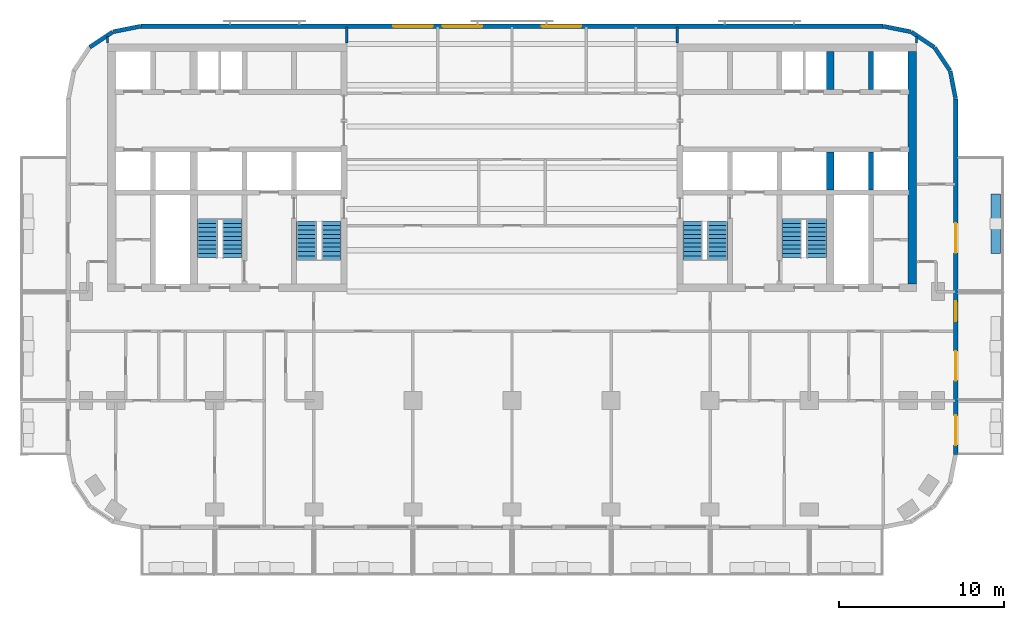
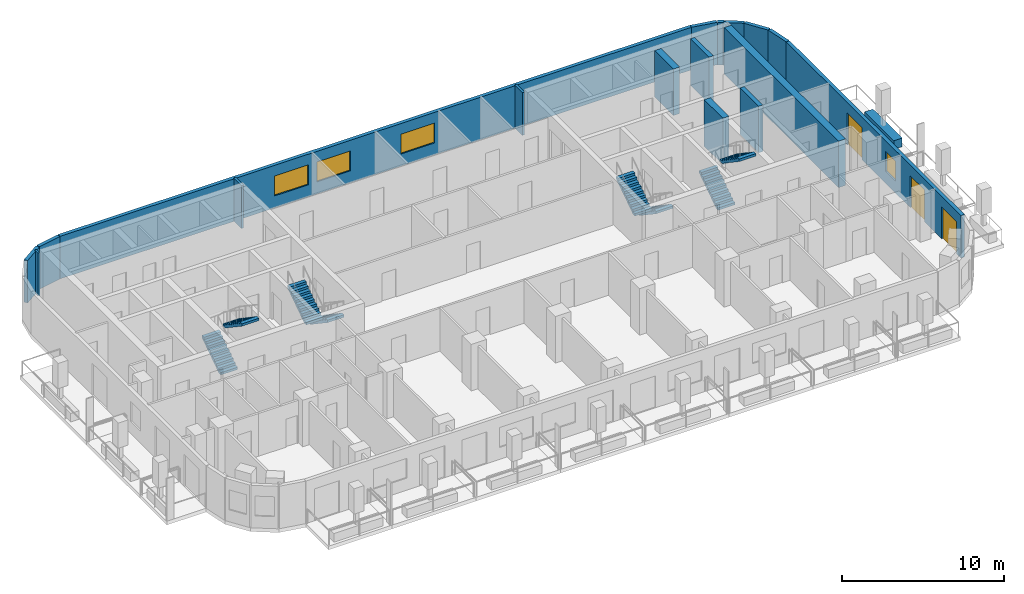
# One storey, part 7 of 11: 18 walls, 8 stair flights, 4 windows, 3 doors, 7 openings, 4 elements without a shape of their own.
"""IFC4 building model written with IfcOpenShell, lengths in metres."""

from ifc_helpers import new_model, si_unit, direction, frame, frame_2d, origin, place, context, subcontext, project, spatial, polyline, rectangle, outline, extrude, material, layer, layer_set, type_object, element, fill, aggregate, save


model = new_model("IFC4")

# Units and contexts
model_context = context("Model", 3, precision=1e-05, world=origin(), true_north=direction((0.0, 1.0)))
body_context = subcontext(model_context, "Body", "Model", "MODEL_VIEW")
ifc_project = project(units=[si_unit("LENGTHUNIT", "METRE"), si_unit("AREAUNIT", "SQUARE_METRE"), si_unit("VOLUMEUNIT", "CUBIC_METRE"), si_unit("PLANEANGLEUNIT", "RADIAN"), si_unit("MASSUNIT", "GRAM", prefix="KILO")], contexts=[model_context])

# Site, building, storey
site_placement = place(None, origin())
site = spatial("IfcSite", under=ifc_project, at=site_placement, CompositionType="ELEMENT")
building_placement = place(site_placement, origin())
building = spatial("IfcBuilding", under=site, at=building_placement, Name="Torana Hotel and Residences", CompositionType="ELEMENT")
storey_placement = place(building_placement, frame((0.0, 0.0, 243.10009765625)))
storey = spatial("IfcBuildingStorey", under=building, at=storey_placement, Name="L64", CompositionType="ELEMENT", Elevation=243.10009765625)

# Walls
ifc_material_1 = material(Name="Concrete C70/85", Category="concrete")
ifc_layer_1 = layer(ifc_material_1, 0.300048828125)
ifc_layer_set_1 = layer_set([ifc_layer_1], Name="CORE WALL 300 C70/85")
wall_type_1 = type_object("IfcWallType", Name="CORE WALL 300 C70/85", PredefinedType="SHEAR", material=ifc_layer_set_1)
for number, where, z_axis, x_axis, name in (
    (1, (21.75, -2.75, 0.0), (0.0, 0.0, 1.0), (0.0, 1.0, 0.0), "Core wall E mm-N"),
    (2, (21.75, -8.85009765625, 0.0), (0.0, 0.0, 1.0), (0.0, 1.0, 0.0), "Core wall E mm-S"),
):
    element("IfcWall", number, at=place(storey_placement, frame(where, z_axis=z_axis, x_axis=x_axis)), inside=storey, type_object=wall_type_1, Name=name, PredefinedType="SHEAR", context=body_context, shape_type="SweptSolid", body=[
        extrude(rectangle(XDim=2.300048828125, YDim=0.300048828125, at=frame_2d((1.14990234375, 0.0))), origin(), (0.0, 0.0, 1.0), 3.5),
    ])
ifc_material_2 = material(Name="Concrete C70/85", Category="concrete")
ifc_layer_2 = layer(ifc_material_2, 0.449951171875)
ifc_layer_set_2 = layer_set([ifc_layer_2], Name="CORE WALL 450 C70/85")
wall_type_2 = type_object("IfcWallType", Name="CORE WALL 450 C70/85", PredefinedType="SHEAR", material=ifc_layer_set_2)
for number, where, z_axis, x_axis, name in (
    (3, (19.27490234375, -2.75, 0.0), (0.0, 0.0, 1.0), (0.0, 1.0, 0.0), "Core wall E hm-N"),
    (4, (19.27490234375, -8.85009765625, 0.0), (0.0, 0.0, 1.0), (0.0, 1.0, 0.0), "Core wall E hm-S"),
):
    element("IfcWall", number, at=place(storey_placement, frame(where, z_axis=z_axis, x_axis=x_axis)), inside=storey, type_object=wall_type_2, Name=name, PredefinedType="SHEAR", context=body_context, shape_type="SweptSolid", body=[
        extrude(rectangle(XDim=2.300048828125, YDim=0.449951171875, at=frame_2d((1.14990234375, 0.0))), origin(), (0.0, 0.0, 1.0), 3.5),
    ])
ifc_material_3 = material(Name="Concrete C70/85", Category="concrete")
ifc_layer_3 = layer(ifc_material_3, 0.5)
ifc_layer_set_3 = layer_set([ifc_layer_3], Name="CORE WALL 500 C70/85")
wall_type_3 = type_object("IfcWallType", Name="CORE WALL 500 C70/85", PredefinedType="SHEAR", material=ifc_layer_set_3)
wall_1_placement = place(storey_placement, frame((24.25, -14.550048828125, 0.0), z_axis=(0.0, 0.0, 1.0), x_axis=(0.0, 1.0, 0.0)))
element("IfcWall", 5, at=wall_1_placement, inside=storey, type_object=wall_type_3, Name="Core wall E outer", PredefinedType="SHEAR", context=body_context, shape_type="SweptSolid", body=[
    extrude(rectangle(XDim=14.10009765625, YDim=0.5, at=frame_2d((7.050048828125, 0.0))), origin(), (0.0, 0.0, 1.0), 3.5),
])
ifc_material_4 = material(Name="Black aluminium composite panel", Category="aluminium")
ifc_layer_4 = layer(ifc_material_4, 0.00390625, Name="Cladding", Category="cladding")
ifc_material_5 = material(Name="Ventilated air cavity")
ifc_layer_5 = layer(ifc_material_5, 0.0400390625, Name="Ventilated cavity", Category="cavity")
ifc_material_6 = material(Name="Mineral wool insulation")
ifc_layer_6 = layer(ifc_material_6, 0.090087890625, Name="Insulation", Category="insulation")
ifc_material_7 = material(Name="Steel S280GD", Category="steel")
ifc_layer_7 = layer(ifc_material_7, 0.092041015625, Name="Steel stud frame", Category="structure")
ifc_material_8 = material(Name="Fire rated plasterboard")
ifc_layer_8 = layer(ifc_material_8, 0.011962890625, Name="Inner board", Category="finish")
ifc_layer_9 = layer(ifc_material_8, 0.011962890625, Name="Second board", Category="finish")
ifc_layer_set_4 = layer_set([ifc_layer_4, ifc_layer_5, ifc_layer_6, ifc_layer_7, ifc_layer_8, ifc_layer_9], Name="EW1 EXTERNAL WALL BLACK METAL CLAD 250")
wall_type_4 = type_object("IfcWallType", Name="EW1 EXTERNAL WALL BLACK METAL CLAD 250", PredefinedType="SOLIDWALL", material=ifc_layer_set_4)
wall_2_placement = place(storey_placement, frame((26.87255859375, -3.30029296875, 0.0), z_axis=(0.0, 0.0, 1.0), x_axis=(-0.194999110559, 0.980803419081, 0.0)))
element("IfcWall", 6, at=wall_2_placement, inside=storey, type_object=wall_type_4, Name="External wall L64 e0.0", PredefinedType="SOLIDWALL", context=body_context, shape_type="SweptSolid", body=[
    extrude(rectangle(XDim=1.681396484375, YDim=0.25, at=frame_2d((0.8408203125, 0.0))), origin(), (0.0, 0.0, 1.0), 3.199951171875),
])
for number, where, z_axis, x_axis, name in (
    (7, (26.52587890625, -1.60595703125, 0.0), (0.0, 0.0, 1.0), (-0.55555029066, 0.831482937015, 0.0), "External wall L64 e0.1"),
    (8, (25.5712890625, -0.1943359375, 0.0), (0.0, 0.0, 1.0), (-0.831482937015, 0.55555029066, 0.0), "External wall L64 e0.2"),
):
    element("IfcWall", number, at=place(storey_placement, frame(where, z_axis=z_axis, x_axis=x_axis)), inside=storey, type_object=wall_type_4, Name=name, PredefinedType="SOLIDWALL", context=body_context, shape_type="SweptSolid", body=[
        extrude(rectangle(XDim=1.65625, YDim=0.25, at=frame_2d((0.828125, 0.0))), origin(), (0.0, 0.0, 1.0), 3.199951171875),
    ])
for number, where, z_axis, x_axis, name in (
    (9, (24.14892578125, 0.74462890625, 0.0), (0.0, 0.0, 1.0), (-0.980803419081, 0.194999110559, 0.0), "External wall L64 e0.3"),
    (10, (-22.499755859375, 1.072509765625, 0.0), (0.0, 0.0, 1.0), (-0.980803419081, -0.194999110559, 0.0), "External wall L64 e0.5"),
):
    element("IfcWall", number, at=place(storey_placement, frame(where, z_axis=z_axis, x_axis=x_axis)), inside=storey, type_object=wall_type_4, Name=name, PredefinedType="SOLIDWALL", context=body_context, shape_type="SweptSolid", body=[
        extrude(rectangle(XDim=1.681396484375, YDim=0.25, at=frame_2d((0.8408203125, 0.0))), origin(), (0.0, 0.0, 1.0), 3.199951171875),
    ])
wall_3_placement = place(storey_placement, frame((-24.194091796875, 0.725830078125, 0.0), z_axis=(0.0, 0.0, 1.0), x_axis=(-0.831482937015, -0.55555029066, 0.0)))
element("IfcWall", 11, at=wall_3_placement, inside=storey, type_object=wall_type_4, Name="External wall L64 e0.6", PredefinedType="SOLIDWALL", context=body_context, shape_type="SweptSolid", body=[
    extrude(rectangle(XDim=1.65625, YDim=0.25, at=frame_2d((0.828125, 0.0))), origin(), (0.0, 0.0, 1.0), 3.199951171875),
])

# Wall, openings, doors, window
wall_4_placement = place(storey_placement, frame((26.875, -24.87548828125, 0.0), z_axis=(0.0, 0.0, 1.0), x_axis=(0.0, 1.0, 0.0)))
wall_4 = element("IfcWall", 12, at=wall_4_placement, inside=storey, type_object=wall_type_4, Name="External wall L64 e0.19", PredefinedType="SOLIDWALL", context=body_context, shape_type="SweptSolid", body=[
    extrude(rectangle(XDim=21.55078125, YDim=0.25, at=frame_2d((10.775390625, 0.0))), origin(), (0.0, 0.0, 1.0), 3.199951171875),
])
opening_1_placement = place(wall_4_placement, frame((0.575439453125, 0.0, 0.0)))
opening_1 = element("IfcOpeningElement", 13, at=opening_1_placement, cuts=wall_4, Name="Opening L64-E09", PredefinedType="OPENING", context=body_context, shape_type="SweptSolid", body=[
    extrude(rectangle(XDim=1.800048828125, YDim=2.39990234375, at=frame_2d((0.89990234375, 1.199951171875))), frame((0.0, 0.135009765625, 0.0), z_axis=(0.0, -1.0, 0.0), x_axis=(1.0, 0.0, 0.0)), (0.0, 0.0, 1.0), 0.27001953125),
])
opening_2_placement = place(wall_4_placement, frame((4.475341796875, 0.0, 0.0)))
opening_2 = element("IfcOpeningElement", 14, at=opening_2_placement, cuts=wall_4, Name="Opening L64-E10", PredefinedType="OPENING", context=body_context, shape_type="SweptSolid", body=[
    extrude(rectangle(XDim=1.800048828125, YDim=2.39990234375, at=frame_2d((0.89990234375, 1.199951171875))), frame((0.0, 0.135009765625, 0.0), z_axis=(0.0, -1.0, 0.0), x_axis=(1.0, 0.0, 0.0)), (0.0, 0.0, 1.0), 0.27001953125),
])
opening_3_placement = place(wall_4_placement, frame((8.075439453125, 0.0, 0.89990234375)))
opening_3 = element("IfcOpeningElement", 15, at=opening_3_placement, cuts=wall_4, Name="Opening W5", PredefinedType="OPENING", context=body_context, shape_type="SweptSolid", body=[
    extrude(rectangle(XDim=1.199951171875, YDim=1.5, at=frame_2d((0.60009765625, 0.75))), frame((0.0, 0.135009765625, 0.0), z_axis=(0.0, -1.0, 0.0), x_axis=(1.0, 0.0, 0.0)), (0.0, 0.0, 1.0), 0.27001953125),
])
opening_4_placement = place(wall_4_placement, frame((12.225341796875, 0.0, 0.0)))
opening_4 = element("IfcOpeningElement", 16, at=opening_4_placement, cuts=wall_4, Name="Opening L64-E11", PredefinedType="OPENING", context=body_context, shape_type="SweptSolid", body=[
    extrude(rectangle(XDim=1.800048828125, YDim=2.39990234375, at=frame_2d((0.89990234375, 1.199951171875))), frame((0.0, 0.135009765625, 0.0), z_axis=(0.0, -1.0, 0.0), x_axis=(1.0, 0.0, 0.0)), (0.0, 0.0, 1.0), 0.27001953125),
])
ifc_material_9 = material(Name="Dark glass in black aluminium frame", Category="aluminium")
door_type = type_object("IfcDoorType", Name="DB1 BALCONY DOOR 1800x2400", OperationType="DOUBLE_DOOR_SINGLE_SWING", PredefinedType="DOOR", material=ifc_material_9)
door_1_placement = place(opening_1_placement, origin())
door_1 = element("IfcDoor", 17, at=door_1_placement, inside=storey, type_object=door_type, Name="Balcony door L64", OperationType="DOUBLE_DOOR_SINGLE_SWING", OverallHeight=2.39990234375, OverallWidth=1.800048828125, PredefinedType="DOOR", context=body_context, shape_type="SweptSolid", body=[
    extrude(rectangle(XDim=1.800048828125, YDim=2.39990234375, at=frame_2d((0.89990234375, 1.199951171875))), frame((0.0, 0.02490234375, 0.0), z_axis=(0.0, -1.0, 0.0), x_axis=(1.0, 0.0, 0.0)), (0.0, 0.0, 1.0), 0.050048828125),
])
fill(opening_1, door_1)
door_2_placement = place(opening_2_placement, origin())
door_2 = element("IfcDoor", 18, at=door_2_placement, inside=storey, type_object=door_type, Name="Balcony door L64", OperationType="DOUBLE_DOOR_SINGLE_SWING", OverallHeight=2.39990234375, OverallWidth=1.800048828125, PredefinedType="DOOR", context=body_context, shape_type="SweptSolid", body=[
    extrude(rectangle(XDim=1.800048828125, YDim=2.39990234375, at=frame_2d((0.89990234375, 1.199951171875))), frame((0.0, 0.02490234375, 0.0), z_axis=(0.0, -1.0, 0.0), x_axis=(1.0, 0.0, 0.0)), (0.0, 0.0, 1.0), 0.050048828125),
])
fill(opening_2, door_2)
door_3_placement = place(opening_4_placement, origin())
door_3 = element("IfcDoor", 19, at=door_3_placement, inside=storey, type_object=door_type, Name="Balcony door L64", OperationType="DOUBLE_DOOR_SINGLE_SWING", OverallHeight=2.39990234375, OverallWidth=1.800048828125, PredefinedType="DOOR", context=body_context, shape_type="SweptSolid", body=[
    extrude(rectangle(XDim=1.800048828125, YDim=2.39990234375, at=frame_2d((0.89990234375, 1.199951171875))), frame((0.0, 0.02490234375, 0.0), z_axis=(0.0, -1.0, 0.0), x_axis=(1.0, 0.0, 0.0)), (0.0, 0.0, 1.0), 0.050048828125),
])
fill(opening_4, door_3)
ifc_material_10 = material(Name="Dark glass in black aluminium frame", Category="aluminium")
window_type_1 = type_object("IfcWindowType", Name="W5 CORNER FACET WINDOW 1200x1500", PartitioningType="SINGLE_PANEL", PredefinedType="WINDOW", material=ifc_material_10)
window_1_placement = place(opening_3_placement, origin())
window_1 = element("IfcWindow", 20, at=window_1_placement, inside=storey, type_object=window_type_1, Name="Window L64", OverallHeight=1.5, OverallWidth=1.199951171875, PartitioningType="SINGLE_PANEL", PredefinedType="WINDOW", context=body_context, shape_type="SweptSolid", body=[
    extrude(rectangle(XDim=1.199951171875, YDim=1.5, at=frame_2d((0.60009765625, 0.75))), frame((0.0, 0.030029296875, 0.0), z_axis=(0.0, -1.0, 0.0), x_axis=(1.0, 0.0, 0.0)), (0.0, 0.0, 1.0), 0.06005859375),
])
fill(opening_3, window_1)

# Wall, openings, windows
ifc_material_11 = material(Name="Concrete C40/50 precast", Category="concrete")
ifc_layer_10 = layer(ifc_material_11, 0.10009765625, Name="Perforated block", Category="cladding")
ifc_material_12 = material(Name="Air cavity")
ifc_layer_11 = layer(ifc_material_12, 0.030029296875, Name="Cavity", Category="cavity")
ifc_material_13 = material(Name="Concrete C40/50", Category="concrete")
ifc_layer_12 = layer(ifc_material_13, 0.10009765625, Name="Wall", Category="structure")
ifc_material_14 = material(Name="Plaster and paint")
ifc_layer_13 = layer(ifc_material_14, 0.02001953125, Name="Inner finish", Category="finish")
ifc_layer_set_5 = layer_set([ifc_layer_10, ifc_layer_11, ifc_layer_12, ifc_layer_13], Name="EW2 PERFORATED BLOCK SCREEN WALL 250")
wall_type_5 = type_object("IfcWallType", Name="EW2 PERFORATED BLOCK SCREEN WALL 250", PredefinedType="SOLIDWALL", material=ifc_layer_set_5)
wall_5_placement = place(storey_placement, frame((22.475341796875, 1.074951171875, 0.0), z_axis=(0.0, 0.0, 1.0), x_axis=(-1.0, 0.0, 0.0)))
wall_5 = element("IfcWall", 21, at=wall_5_placement, inside=storey, type_object=wall_type_5, Name="External wall L64 e0.4", PredefinedType="SOLIDWALL", context=body_context, shape_type="SweptSolid", body=[
    extrude(rectangle(XDim=44.95068359375, YDim=0.25, at=frame_2d((22.475341796875, 0.0))), origin(), (0.0, 0.0, 1.0), 3.199951171875),
])
opening_5_placement = place(wall_5_placement, frame((18.275390625, 0.0, 0.89990234375)))
opening_5 = element("IfcOpeningElement", 22, at=opening_5_placement, cuts=wall_5, Name="Opening W3", PredefinedType="OPENING", context=body_context, shape_type="SweptSolid", body=[
    extrude(rectangle(XDim=2.39990234375, YDim=1.5, at=frame_2d((1.199951171875, 0.75))), frame((0.0, 0.135009765625, 0.0), z_axis=(0.0, -1.0, 0.0), x_axis=(1.0, 0.0, 0.0)), (0.0, 0.0, 1.0), 0.27001953125),
])
opening_6_placement = place(wall_5_placement, frame((24.275390625, 0.0, 0.89990234375)))
opening_6 = element("IfcOpeningElement", 23, at=opening_6_placement, cuts=wall_5, Name="Opening W3", PredefinedType="OPENING", context=body_context, shape_type="SweptSolid", body=[
    extrude(rectangle(XDim=2.39990234375, YDim=1.5, at=frame_2d((1.199951171875, 0.75))), frame((0.0, 0.135009765625, 0.0), z_axis=(0.0, -1.0, 0.0), x_axis=(1.0, 0.0, 0.0)), (0.0, 0.0, 1.0), 0.27001953125),
])
opening_7_placement = place(wall_5_placement, frame((27.275390625, 0.0, 0.89990234375)))
opening_7 = element("IfcOpeningElement", 24, at=opening_7_placement, cuts=wall_5, Name="Opening W3", PredefinedType="OPENING", context=body_context, shape_type="SweptSolid", body=[
    extrude(rectangle(XDim=2.39990234375, YDim=1.5, at=frame_2d((1.199951171875, 0.75))), frame((0.0, 0.135009765625, 0.0), z_axis=(0.0, -1.0, 0.0), x_axis=(1.0, 0.0, 0.0)), (0.0, 0.0, 1.0), 0.27001953125),
])
ifc_material_15 = material(Name="Dark glass in black aluminium frame", Category="aluminium")
window_type_2 = type_object("IfcWindowType", Name="W3 RESIDENCE WINDOW 2400x1500", PartitioningType="SINGLE_PANEL", PredefinedType="WINDOW", material=ifc_material_15)
window_2_placement = place(opening_5_placement, origin())
window_2 = element("IfcWindow", 25, at=window_2_placement, inside=storey, type_object=window_type_2, Name="Window L64", OverallHeight=1.5, OverallWidth=2.39990234375, PartitioningType="SINGLE_PANEL", PredefinedType="WINDOW", context=body_context, shape_type="SweptSolid", body=[
    extrude(rectangle(XDim=2.39990234375, YDim=1.5, at=frame_2d((1.199951171875, 0.75))), frame((0.0, 0.030029296875, 0.0), z_axis=(0.0, -1.0, 0.0), x_axis=(1.0, 0.0, 0.0)), (0.0, 0.0, 1.0), 0.06005859375),
])
fill(opening_5, window_2)
window_3_placement = place(opening_6_placement, origin())
window_3 = element("IfcWindow", 26, at=window_3_placement, inside=storey, type_object=window_type_2, Name="Window L64", OverallHeight=1.5, OverallWidth=2.39990234375, PartitioningType="SINGLE_PANEL", PredefinedType="WINDOW", context=body_context, shape_type="SweptSolid", body=[
    extrude(rectangle(XDim=2.39990234375, YDim=1.5, at=frame_2d((1.199951171875, 0.75))), frame((0.0, 0.030029296875, 0.0), z_axis=(0.0, -1.0, 0.0), x_axis=(1.0, 0.0, 0.0)), (0.0, 0.0, 1.0), 0.06005859375),
])
fill(opening_6, window_3)
window_4_placement = place(opening_7_placement, origin())
window_4 = element("IfcWindow", 27, at=window_4_placement, inside=storey, type_object=window_type_2, Name="Window L64", OverallHeight=1.5, OverallWidth=2.39990234375, PartitioningType="SINGLE_PANEL", PredefinedType="WINDOW", context=body_context, shape_type="SweptSolid", body=[
    extrude(rectangle(XDim=2.39990234375, YDim=1.5, at=frame_2d((1.199951171875, 0.75))), frame((0.0, 0.030029296875, 0.0), z_axis=(0.0, -1.0, 0.0), x_axis=(1.0, 0.0, 0.0)), (0.0, 0.0, 1.0), 0.06005859375),
])
fill(opening_7, window_4)

# Walls
ifc_material_16 = material(Name="Gypsum plasterboard")
ifc_layer_14 = layer(ifc_material_16, 0.012451171875, Name="Plasterboard", Category="finish")
ifc_layer_15 = layer(ifc_material_16, 0.012451171875, Name="Plasterboard", Category="finish")
ifc_layer_16 = layer(ifc_material_7, 0.10009765625, Name="Steel studs with mineral wool", Category="insulation")
ifc_layer_17 = layer(ifc_material_16, 0.012451171875, Name="Plasterboard", Category="finish")
ifc_layer_18 = layer(ifc_material_16, 0.012451171875, Name="Plasterboard", Category="finish")
ifc_layer_set_6 = layer_set([ifc_layer_14, ifc_layer_15, ifc_layer_16, ifc_layer_17, ifc_layer_18], Name="PARTITION 150 PLASTERBOARD")
wall_type_6 = type_object("IfcWallType", Name="PARTITION 150 PLASTERBOARD", PredefinedType="PARTITIONING", material=ifc_layer_set_6)
wall_6_placement = place(storey_placement, frame((24.5, 0.050048828125, 0.0), z_axis=(0.0, 0.0, 1.0), x_axis=(0.0, 1.0, 0.0)))
element("IfcWall", 28, at=wall_6_placement, inside=storey, type_object=wall_type_6, Name="Partition L64", PredefinedType="PARTITIONING", context=body_context, shape_type="SweptSolid", body=[
    extrude(rectangle(XDim=0.4052734375, YDim=0.14990234375, at=frame_2d((0.20263671875, 0.0))), origin(), (0.0, 0.0, 1.0), 3.219970703125),
])
wall_7_placement = place(storey_placement, frame((-10.0, 0.050048828125, 0.0), z_axis=(0.0, 0.0, 1.0), x_axis=(0.0, 1.0, 0.0)))
element("IfcWall", 29, at=wall_7_placement, inside=storey, type_object=wall_type_6, Name="Partition L64", PredefinedType="PARTITIONING", context=body_context, shape_type="SweptSolid", body=[
    extrude(rectangle(XDim=0.969970703125, YDim=0.14990234375, at=frame_2d((0.48486328125, 0.0))), origin(), (0.0, 0.0, 1.0), 3.219970703125),
])
wall_8_placement = place(storey_placement, frame((-24.5, 0.050048828125, 0.0), z_axis=(0.0, 0.0, 1.0), x_axis=(0.0, 1.0, 0.0)))
element("IfcWall", 30, at=wall_8_placement, inside=storey, type_object=wall_type_6, Name="Partition L64", PredefinedType="PARTITIONING", context=body_context, shape_type="SweptSolid", body=[
    extrude(rectangle(XDim=0.4052734375, YDim=0.14990234375, at=frame_2d((0.20263671875, 0.0))), origin(), (0.0, 0.0, 1.0), 3.219970703125),
])
ifc_layer_19 = layer(ifc_material_11, 0.10009765625, Name="Planter shell", Category="structure")
ifc_material_17 = material(Name="Root resistant membrane")
ifc_layer_20 = layer(ifc_material_17, 0.00390625, Name="Waterproofing membrane", Category="membrane")
ifc_material_18 = material(Name="Drainage board with filter fleece")
ifc_layer_21 = layer(ifc_material_18, 0.02001953125, Name="Drainage board", Category="drainage")
ifc_material_19 = material(Name="Growing medium")
ifc_layer_22 = layer(ifc_material_19, 0.47607421875, Name="Planting substrate", Category="soil")
ifc_layer_set_7 = layer_set([ifc_layer_19, ifc_layer_20, ifc_layer_21, ifc_layer_22], Name="PL1 BALCONY PLANTER 600")
wall_type_7 = type_object("IfcWallType", Name="PL1 BALCONY PLANTER 600", PredefinedType="USERDEFINED", material=ifc_layer_set_7)
wall_9_placement = place(storey_placement, frame((29.300048828125, -9.10009765625, 0.0), z_axis=(0.0, 0.0, 1.0), x_axis=(0.0, -1.0, 0.0)))
element("IfcWall", 31, at=wall_9_placement, inside=storey, type_object=wall_type_7, Name="Planter 14", ObjectType="PLANTER", PredefinedType="USERDEFINED", context=body_context, shape_type="SweptSolid", body=[
    extrude(rectangle(XDim=3.599853515625, YDim=0.60009765625, at=frame_2d((1.7998046875, 0.0))), origin(), (0.0, 0.0, 1.0), 0.64990234375),
])
ifc_material_20 = material(Name="Ceramic tile on adhesive")
ifc_layer_23 = layer(ifc_material_20, 0.010009765625, Name="Wall tile", Category="finish")
ifc_material_21 = material(Name="Cement render")
ifc_layer_24 = layer(ifc_material_21, 0.010009765625, Name="Render", Category="finish")
ifc_material_22 = material(Name="Concrete blockwork", Category="masonry")
ifc_layer_25 = layer(ifc_material_22, 0.110107421875, Name="Blockwork", Category="structure")
ifc_layer_26 = layer(ifc_material_21, 0.010009765625, Name="Render", Category="finish")
ifc_layer_27 = layer(ifc_material_20, 0.010009765625, Name="Wall tile", Category="finish")
ifc_layer_set_8 = layer_set([ifc_layer_23, ifc_layer_24, ifc_layer_25, ifc_layer_26, ifc_layer_27], Name="WC PARTITION 150")
wall_type_8 = type_object("IfcWallType", Name="WC PARTITION 150", PredefinedType="PLUMBINGWALL", material=ifc_layer_set_8)
wall_10_placement = place(storey_placement, frame((10.0, 0.050048828125, 0.0), z_axis=(0.0, 0.0, 1.0), x_axis=(0.0, 1.0, 0.0)))
element("IfcWall", 32, at=wall_10_placement, inside=storey, type_object=wall_type_8, Name="Partition L64", PredefinedType="PLUMBINGWALL", context=body_context, shape_type="SweptSolid", body=[
    extrude(rectangle(XDim=0.969970703125, YDim=0.14990234375, at=frame_2d((0.48486328125, 0.0))), origin(), (0.0, 0.0, 1.0), 3.219970703125),
])

# Stair, stair flights
ifc_material_23 = material(Name="Concrete C40/50 precast", Category="concrete")
stair_type_1 = type_object("IfcStairType", Name="STAIR ST1 HALF TURN 1200", PredefinedType="HALF_TURN_STAIR", material=ifc_material_23)
stair_1_placement = place(storey_placement, origin())
stair_1 = element("IfcStair", 33, at=stair_1_placement, inside=storey, type_object=stair_type_1, Name="Stair ST1 L64", PredefinedType="HALF_TURN_STAIR")
ifc_material_24 = material(Name="Concrete C40/50 precast", Category="concrete")
stair_flight_type = type_object("IfcStairFlightType", Name="STAIR FLIGHT 1200 PRECAST", PredefinedType="STRAIGHT", material=ifc_material_24)
stair_flight_1_placement = place(storey_placement, frame((-10.949951171875, -10.75, 0.0), z_axis=(0.0, 0.0, 1.0), x_axis=(0.0, -1.0, 0.0)))
stair_flight_1 = element("IfcStairFlight", 34, at=stair_flight_1_placement, type_object=stair_flight_type, Name="ST1 flight 1", NumberOfRisers=10, NumberOfTreads=9, PredefinedType="STRAIGHT", RiserHeight=0.175, TreadLength=0.26, context=body_context, shape_type="SweptSolid", body=[
    extrude(outline(polyline([(0.0, 0.0), (0.0, 0.175048828125), (0.260009765625, 0.175048828125), (0.260009765625, 0.35009765625), (0.52001953125, 0.35009765625), (0.52001953125, 0.52490234375), (0.780029296875, 0.52490234375), (0.780029296875, 0.699951171875), (1.0400390625, 0.699951171875), (1.0400390625, 0.875), (1.300048828125, 0.875), (1.300048828125, 1.050048828125), (1.56005859375, 1.050048828125), (1.56005859375, 1.22509765625), (1.820068359375, 1.22509765625), (1.820068359375, 1.39990234375), (2.080078125, 1.39990234375), (2.080078125, 1.574951171875), (2.340087890625, 1.574951171875), (2.340087890625, 1.75), (2.340087890625, 1.394287109375), (0.2685546875, 0.0), (0.0, 0.0)])), frame((0.0, 0.60009765625, 0.0), z_axis=(0.0, -1.0, 0.0), x_axis=(1.0, 0.0, 0.0)), (0.0, 0.0, 1.0), 1.199951171875),
])
stair_flight_2_placement = place(storey_placement, frame((-12.449951171875, -13.090087890625, 1.75), z_axis=(0.0, 0.0, 1.0), x_axis=(0.0, 1.0, 0.0)))
stair_flight_2 = element("IfcStairFlight", 35, at=stair_flight_2_placement, type_object=stair_flight_type, Name="ST1 flight 2", NumberOfRisers=10, NumberOfTreads=9, PredefinedType="STRAIGHT", RiserHeight=0.175, TreadLength=0.26, context=body_context, shape_type="SweptSolid", body=[
    extrude(outline(polyline([(0.0, 0.0), (0.0, 0.175048828125), (0.260009765625, 0.175048828125), (0.260009765625, 0.35009765625), (0.52001953125, 0.35009765625), (0.52001953125, 0.52490234375), (0.780029296875, 0.52490234375), (0.780029296875, 0.699951171875), (1.0400390625, 0.699951171875), (1.0400390625, 0.875), (1.300048828125, 0.875), (1.300048828125, 1.050048828125), (1.56005859375, 1.050048828125), (1.56005859375, 1.22509765625), (1.820068359375, 1.22509765625), (1.820068359375, 1.39990234375), (2.080078125, 1.39990234375), (2.080078125, 1.574951171875), (2.340087890625, 1.574951171875), (2.340087890625, 1.75), (2.340087890625, 1.394287109375), (0.2685546875, 0.0), (0.0, 0.0)])), frame((0.0, 0.60009765625, 0.0), z_axis=(0.0, -1.0, 0.0), x_axis=(1.0, 0.0, 0.0)), (0.0, 0.0, 1.0), 1.199951171875),
])
aggregate(stair_1, [stair_flight_1, stair_flight_2])

ifc_material_25 = material(Name="Concrete C40/50 precast", Category="concrete")
stair_type_2 = type_object("IfcStairType", Name="STAIR ST2 HALF TURN 1200", PredefinedType="HALF_TURN_STAIR", material=ifc_material_25)
stair_2_placement = place(storey_placement, origin())
stair_2 = element("IfcStair", 36, at=stair_2_placement, inside=storey, type_object=stair_type_2, Name="Stair ST2 L64", PredefinedType="HALF_TURN_STAIR")
stair_flight_3_placement = place(storey_placement, frame((-18.449951171875, -12.949951171875, 0.0), z_axis=(0.0, 0.0, 1.0), x_axis=(0.0, 1.0, 0.0)))
stair_flight_3 = element("IfcStairFlight", 37, at=stair_flight_3_placement, type_object=stair_flight_type, Name="ST2 flight 1", NumberOfRisers=10, NumberOfTreads=9, PredefinedType="STRAIGHT", RiserHeight=0.175, TreadLength=0.26, context=body_context, shape_type="SweptSolid", body=[
    extrude(outline(polyline([(0.0, 0.0), (0.0, 0.175048828125), (0.260009765625, 0.175048828125), (0.260009765625, 0.35009765625), (0.52001953125, 0.35009765625), (0.52001953125, 0.52490234375), (0.780029296875, 0.52490234375), (0.780029296875, 0.699951171875), (1.0400390625, 0.699951171875), (1.0400390625, 0.875), (1.300048828125, 0.875), (1.300048828125, 1.050048828125), (1.56005859375, 1.050048828125), (1.56005859375, 1.22509765625), (1.820068359375, 1.22509765625), (1.820068359375, 1.39990234375), (2.080078125, 1.39990234375), (2.080078125, 1.574951171875), (2.340087890625, 1.574951171875), (2.340087890625, 1.75), (2.340087890625, 1.394287109375), (0.2685546875, 0.0), (0.0, 0.0)])), frame((0.0, 0.60009765625, 0.0), z_axis=(0.0, -1.0, 0.0), x_axis=(1.0, 0.0, 0.0)), (0.0, 0.0, 1.0), 1.199951171875),
])
stair_flight_4_placement = place(storey_placement, frame((-16.949951171875, -10.610107421875, 1.75), z_axis=(0.0, 0.0, 1.0), x_axis=(0.0, -1.0, 0.0)))
stair_flight_4 = element("IfcStairFlight", 38, at=stair_flight_4_placement, type_object=stair_flight_type, Name="ST2 flight 2", NumberOfRisers=10, NumberOfTreads=9, PredefinedType="STRAIGHT", RiserHeight=0.175, TreadLength=0.26, context=body_context, shape_type="SweptSolid", body=[
    extrude(outline(polyline([(0.0, 0.0), (0.0, 0.175048828125), (0.260009765625, 0.175048828125), (0.260009765625, 0.35009765625), (0.52001953125, 0.35009765625), (0.52001953125, 0.52490234375), (0.780029296875, 0.52490234375), (0.780029296875, 0.699951171875), (1.0400390625, 0.699951171875), (1.0400390625, 0.875), (1.300048828125, 0.875), (1.300048828125, 1.050048828125), (1.56005859375, 1.050048828125), (1.56005859375, 1.22509765625), (1.820068359375, 1.22509765625), (1.820068359375, 1.39990234375), (2.080078125, 1.39990234375), (2.080078125, 1.574951171875), (2.340087890625, 1.574951171875), (2.340087890625, 1.75), (2.340087890625, 1.394287109375), (0.2685546875, 0.0), (0.0, 0.0)])), frame((0.0, 0.60009765625, 0.0), z_axis=(0.0, -1.0, 0.0), x_axis=(1.0, 0.0, 0.0)), (0.0, 0.0, 1.0), 1.199951171875),
])
aggregate(stair_2, [stair_flight_3, stair_flight_4])

ifc_material_26 = material(Name="Concrete C40/50 precast", Category="concrete")
stair_type_3 = type_object("IfcStairType", Name="STAIR ST3 HALF TURN 1200", PredefinedType="HALF_TURN_STAIR", material=ifc_material_26)
stair_3_placement = place(storey_placement, origin())
stair_3 = element("IfcStair", 39, at=stair_3_placement, inside=storey, type_object=stair_type_3, Name="Stair ST3 L64", PredefinedType="HALF_TURN_STAIR")
stair_flight_5_placement = place(storey_placement, frame((12.449951171875, -10.75, 0.0), z_axis=(0.0, 0.0, 1.0), x_axis=(0.0, -1.0, 0.0)))
stair_flight_5 = element("IfcStairFlight", 40, at=stair_flight_5_placement, type_object=stair_flight_type, Name="ST3 flight 1", NumberOfRisers=10, NumberOfTreads=9, PredefinedType="STRAIGHT", RiserHeight=0.175, TreadLength=0.26, context=body_context, shape_type="SweptSolid", body=[
    extrude(outline(polyline([(0.0, 0.0), (0.0, 0.175048828125), (0.260009765625, 0.175048828125), (0.260009765625, 0.35009765625), (0.52001953125, 0.35009765625), (0.52001953125, 0.52490234375), (0.780029296875, 0.52490234375), (0.780029296875, 0.699951171875), (1.0400390625, 0.699951171875), (1.0400390625, 0.875), (1.300048828125, 0.875), (1.300048828125, 1.050048828125), (1.56005859375, 1.050048828125), (1.56005859375, 1.22509765625), (1.820068359375, 1.22509765625), (1.820068359375, 1.39990234375), (2.080078125, 1.39990234375), (2.080078125, 1.574951171875), (2.340087890625, 1.574951171875), (2.340087890625, 1.75), (2.340087890625, 1.394287109375), (0.2685546875, 0.0), (0.0, 0.0)])), frame((0.0, 0.60009765625, 0.0), z_axis=(0.0, -1.0, 0.0), x_axis=(1.0, 0.0, 0.0)), (0.0, 0.0, 1.0), 1.199951171875),
])
stair_flight_6_placement = place(storey_placement, frame((10.949951171875, -13.090087890625, 1.75), z_axis=(0.0, 0.0, 1.0), x_axis=(0.0, 1.0, 0.0)))
stair_flight_6 = element("IfcStairFlight", 41, at=stair_flight_6_placement, type_object=stair_flight_type, Name="ST3 flight 2", NumberOfRisers=10, NumberOfTreads=9, PredefinedType="STRAIGHT", RiserHeight=0.175, TreadLength=0.26, context=body_context, shape_type="SweptSolid", body=[
    extrude(outline(polyline([(0.0, 0.0), (0.0, 0.175048828125), (0.260009765625, 0.175048828125), (0.260009765625, 0.35009765625), (0.52001953125, 0.35009765625), (0.52001953125, 0.52490234375), (0.780029296875, 0.52490234375), (0.780029296875, 0.699951171875), (1.0400390625, 0.699951171875), (1.0400390625, 0.875), (1.300048828125, 0.875), (1.300048828125, 1.050048828125), (1.56005859375, 1.050048828125), (1.56005859375, 1.22509765625), (1.820068359375, 1.22509765625), (1.820068359375, 1.39990234375), (2.080078125, 1.39990234375), (2.080078125, 1.574951171875), (2.340087890625, 1.574951171875), (2.340087890625, 1.75), (2.340087890625, 1.394287109375), (0.2685546875, 0.0), (0.0, 0.0)])), frame((0.0, 0.60009765625, 0.0), z_axis=(0.0, -1.0, 0.0), x_axis=(1.0, 0.0, 0.0)), (0.0, 0.0, 1.0), 1.199951171875),
])
aggregate(stair_3, [stair_flight_5, stair_flight_6])

ifc_material_27 = material(Name="Concrete C40/50 precast", Category="concrete")
stair_type_4 = type_object("IfcStairType", Name="STAIR ST4 HALF TURN 1200", PredefinedType="HALF_TURN_STAIR", material=ifc_material_27)
stair_4_placement = place(storey_placement, origin())
stair_4 = element("IfcStair", 42, at=stair_4_placement, inside=storey, type_object=stair_type_4, Name="Stair ST4 L64", PredefinedType="HALF_TURN_STAIR")
stair_flight_7_placement = place(storey_placement, frame((16.949951171875, -12.949951171875, 0.0), z_axis=(0.0, 0.0, 1.0), x_axis=(0.0, 1.0, 0.0)))
stair_flight_7 = element("IfcStairFlight", 43, at=stair_flight_7_placement, type_object=stair_flight_type, Name="ST4 flight 1", NumberOfRisers=10, NumberOfTreads=9, PredefinedType="STRAIGHT", RiserHeight=0.175, TreadLength=0.26, context=body_context, shape_type="SweptSolid", body=[
    extrude(outline(polyline([(0.0, 0.0), (0.0, 0.175048828125), (0.260009765625, 0.175048828125), (0.260009765625, 0.35009765625), (0.52001953125, 0.35009765625), (0.52001953125, 0.52490234375), (0.780029296875, 0.52490234375), (0.780029296875, 0.699951171875), (1.0400390625, 0.699951171875), (1.0400390625, 0.875), (1.300048828125, 0.875), (1.300048828125, 1.050048828125), (1.56005859375, 1.050048828125), (1.56005859375, 1.22509765625), (1.820068359375, 1.22509765625), (1.820068359375, 1.39990234375), (2.080078125, 1.39990234375), (2.080078125, 1.574951171875), (2.340087890625, 1.574951171875), (2.340087890625, 1.75), (2.340087890625, 1.394287109375), (0.2685546875, 0.0), (0.0, 0.0)])), frame((0.0, 0.60009765625, 0.0), z_axis=(0.0, -1.0, 0.0), x_axis=(1.0, 0.0, 0.0)), (0.0, 0.0, 1.0), 1.199951171875),
])
stair_flight_8_placement = place(storey_placement, frame((18.449951171875, -10.610107421875, 1.75), z_axis=(0.0, 0.0, 1.0), x_axis=(0.0, -1.0, 0.0)))
stair_flight_8 = element("IfcStairFlight", 44, at=stair_flight_8_placement, type_object=stair_flight_type, Name="ST4 flight 2", NumberOfRisers=10, NumberOfTreads=9, PredefinedType="STRAIGHT", RiserHeight=0.175, TreadLength=0.26, context=body_context, shape_type="SweptSolid", body=[
    extrude(outline(polyline([(0.0, 0.0), (0.0, 0.175048828125), (0.260009765625, 0.175048828125), (0.260009765625, 0.35009765625), (0.52001953125, 0.35009765625), (0.52001953125, 0.52490234375), (0.780029296875, 0.52490234375), (0.780029296875, 0.699951171875), (1.0400390625, 0.699951171875), (1.0400390625, 0.875), (1.300048828125, 0.875), (1.300048828125, 1.050048828125), (1.56005859375, 1.050048828125), (1.56005859375, 1.22509765625), (1.820068359375, 1.22509765625), (1.820068359375, 1.39990234375), (2.080078125, 1.39990234375), (2.080078125, 1.574951171875), (2.340087890625, 1.574951171875), (2.340087890625, 1.75), (2.340087890625, 1.394287109375), (0.2685546875, 0.0), (0.0, 0.0)])), frame((0.0, 0.60009765625, 0.0), z_axis=(0.0, -1.0, 0.0), x_axis=(1.0, 0.0, 0.0)), (0.0, 0.0, 1.0), 1.199951171875),
])
aggregate(stair_4, [stair_flight_7, stair_flight_8])

save(model, "model.ifc")
